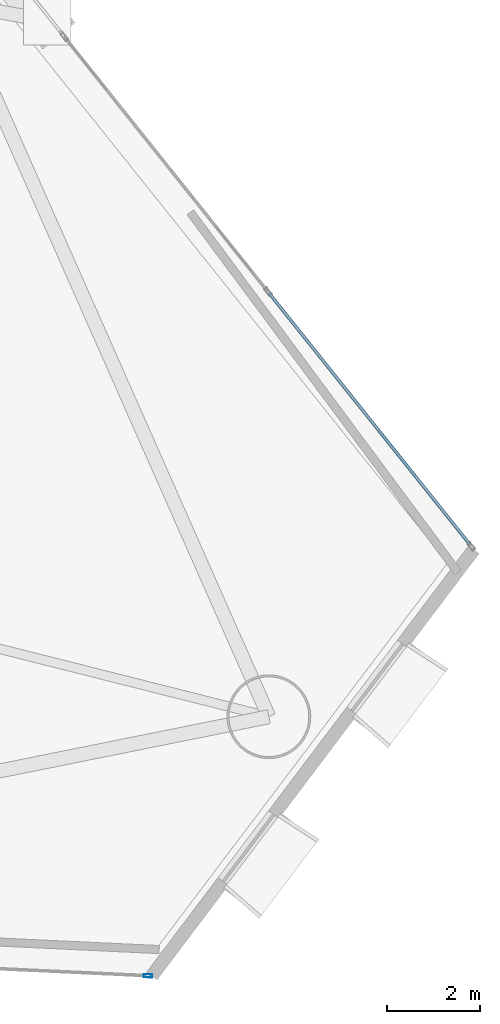
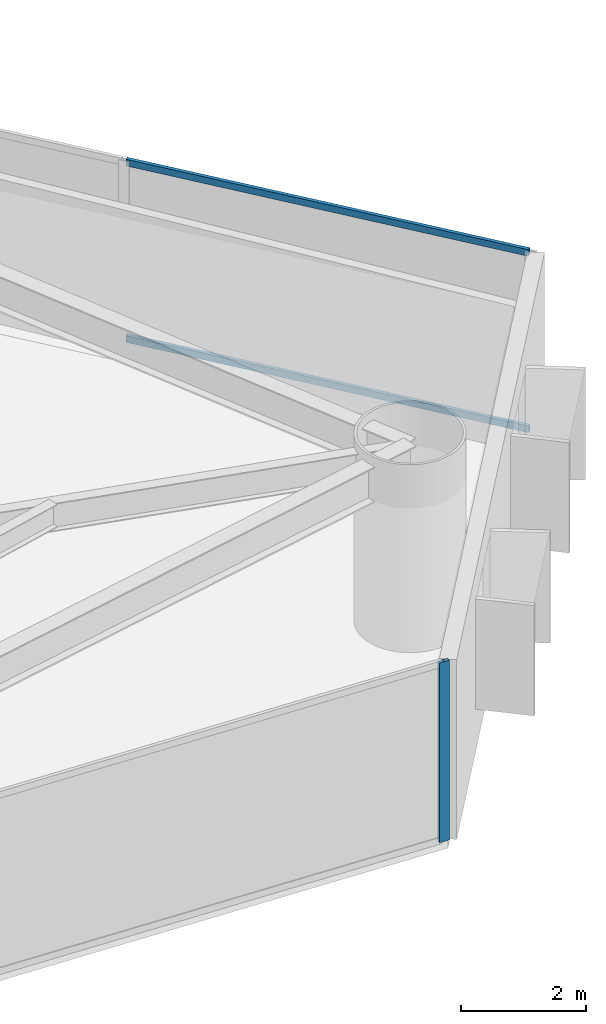
# One storey, part 12 of 23: 3 members, 2 elements without a shape of their own.
"""IFC4 building model written with IfcOpenShell, lengths in metres."""

from ifc_helpers import new_model, si_unit, direction, frame, origin, origin_2d, place, context, subcontext, project, spatial, hollow_rectangle, extrude, material, layer, layer_set, material_profile, profile_set, type_object, element, aggregate, save


model = new_model("IFC4")

# Units and contexts
model_context = context("Model", 3, precision=1e-05, world=origin(), true_north=direction((0.0, 1.0)))
body_context = subcontext(model_context, "Body", "Model", "MODEL_VIEW")
ifc_project = project(units=[si_unit("LENGTHUNIT", "METRE"), si_unit("AREAUNIT", "SQUARE_METRE"), si_unit("VOLUMEUNIT", "CUBIC_METRE"), si_unit("PLANEANGLEUNIT", "RADIAN"), si_unit("MASSUNIT", "GRAM", prefix="KILO")], contexts=[model_context])

# Site, building, storey
site_placement = place(None, origin())
site = spatial("IfcSite", under=ifc_project, at=site_placement, CompositionType="ELEMENT")
building_placement = place(site_placement, origin())
building = spatial("IfcBuilding", under=site, at=building_placement, Name="Qianvela Tower", CompositionType="ELEMENT")
storey_placement = place(building_placement, frame((0.0, 0.0, 33.10009765625)))
storey = spatial("IfcBuildingStorey", under=building, at=storey_placement, Name="L07", CompositionType="ELEMENT", Elevation=33.10009765625)

# Curtain wall, member
ifc_material_1 = material(Name="Anodised Architectural Aluminium and Low-E Glass", Category="aluminium")
ifc_layer = layer(ifc_material_1, 0.179931640625)
ifc_layer_set = layer_set([ifc_layer], Name="Anodised Architectural Aluminium and Low-E Glass")
curtain_wall_type = type_object("IfcCurtainWallType", Name="CW-COLIV-Z12", PredefinedType="USERDEFINED", material=ifc_layer_set)
curtain_wall_1_placement = place(storey_placement, origin())
curtain_wall_1 = element("IfcCurtainWall", 1, at=curtain_wall_1_placement, inside=storey, type_object=curtain_wall_type, Name="L07 CW-COLIV-Z12 Curtain Wall 06C", ObjectType="CURTAIN_WALL_SYSTEM", PredefinedType="USERDEFINED")
ifc_material_2 = material(Name="Anodised Architectural Aluminium 6063-T6", Category="aluminium")
ifc_material_profile_1 = material_profile(ifc_material_2, hollow_rectangle(XDim=0.070068359375, YDim=0.179931640625, WallThickness=0.0048828125, at=origin_2d()), Name="ALU-MULL-70x180")
ifc_profile_set_1 = profile_set([ifc_material_profile_1], Name="Anodised Architectural Aluminium 6063-T6")
member_type_1 = type_object("IfcMemberType", Name="CW-COLIV-Z12-MULL", PredefinedType="MULLION", material=ifc_profile_set_1)
member_1_placement = place(storey_placement, frame((51.914306640625, 11.75048828125, 0.0), z_axis=(0.0, 0.0, 1.0), x_axis=(0.046882894011, 0.998900392556, 0.0)))
member_1 = element("IfcMember", 2, at=member_1_placement, type_object=member_type_1, Name="CW-3 mullion 2", PredefinedType="MULLION", context=body_context, shape_type="SweptSolid", body=[
    extrude(hollow_rectangle(XDim=0.070068359375, YDim=0.179931640625, WallThickness=0.0048828125, at=origin_2d()), origin(), (0.0, 0.0, 1.0), 3.52001953125),
])
aggregate(curtain_wall_1, [member_1])

# Curtain wall, members
curtain_wall_2_placement = place(storey_placement, origin())
curtain_wall_2 = element("IfcCurtainWall", 3, at=curtain_wall_2_placement, inside=storey, type_object=curtain_wall_type, Name="L07 CW-COLIV-Z12 Curtain Wall 02A", ObjectType="CURTAIN_WALL_SYSTEM", PredefinedType="USERDEFINED")
ifc_material_3 = material(Name="Anodised Architectural Aluminium 6063-T6", Category="aluminium")
ifc_material_profile_2 = material_profile(ifc_material_3, hollow_rectangle(XDim=0.06494140625, YDim=0.1298828125, WallThickness=0.00439453125, at=origin_2d()), Name="ALU-TRAN-65x130")
ifc_profile_set_2 = profile_set([ifc_material_profile_2], Name="Anodised Architectural Aluminium 6063-T6")
member_type_2 = type_object("IfcMemberType", Name="CW-COLIV-Z12-TRAN", PredefinedType="USERDEFINED", material=ifc_profile_set_2)
member_2_placement = place(storey_placement, frame((58.842529296875, 21.0, 0.032470703125), z_axis=(-0.623977839747, 0.781442035921, 0.0), x_axis=(-0.781442035921, -0.623977839747, 0.0)))
member_2 = element("IfcMember", 4, at=member_2_placement, type_object=member_type_2, Name="CW-3 transom 1.1", ObjectType="TRANSOM", PredefinedType="USERDEFINED", context=body_context, shape_type="SweptSolid", body=[
    extrude(hollow_rectangle(XDim=0.06494140625, YDim=0.1298828125, WallThickness=0.00439453125, at=origin_2d()), origin(), (0.0, 0.0, 1.0), 6.93505859375),
])
member_3_placement = place(storey_placement, frame((58.842529296875, 21.0, 3.4873046875), z_axis=(-0.623977839747, 0.781442035921, 0.0), x_axis=(-0.781442035921, -0.623977839747, 0.0)))
member_3 = element("IfcMember", 5, at=member_3_placement, type_object=member_type_2, Name="CW-3 transom 1.2", ObjectType="TRANSOM", PredefinedType="USERDEFINED", context=body_context, shape_type="SweptSolid", body=[
    extrude(hollow_rectangle(XDim=0.06494140625, YDim=0.1298828125, WallThickness=0.00439453125, at=origin_2d()), origin(), (0.0, 0.0, 1.0), 6.93505859375),
])
aggregate(curtain_wall_2, [member_2, member_3])

save(model, "model.ifc")
